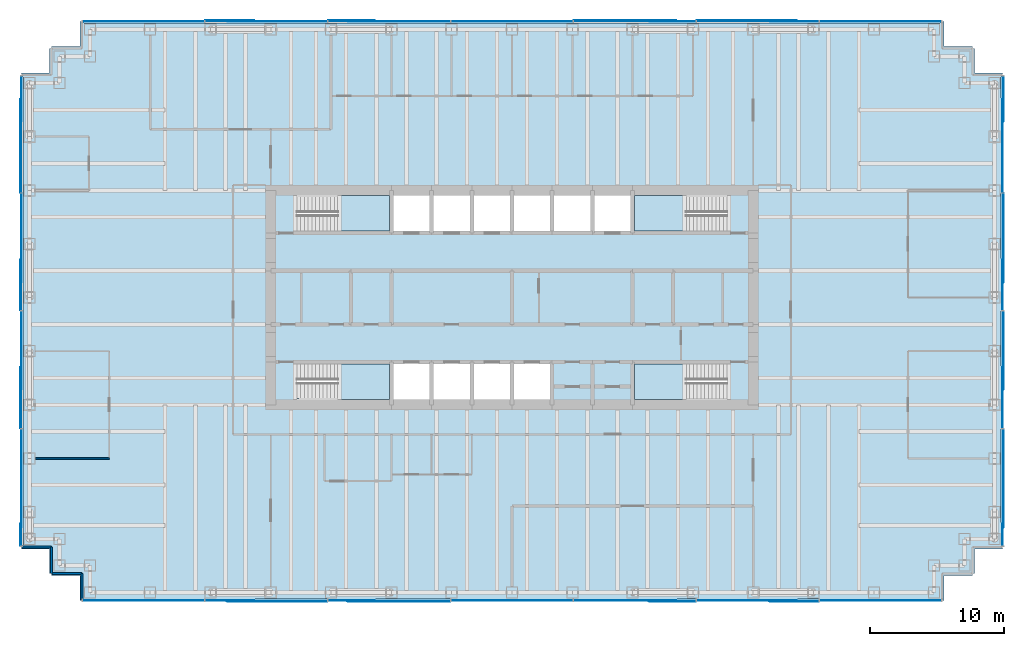
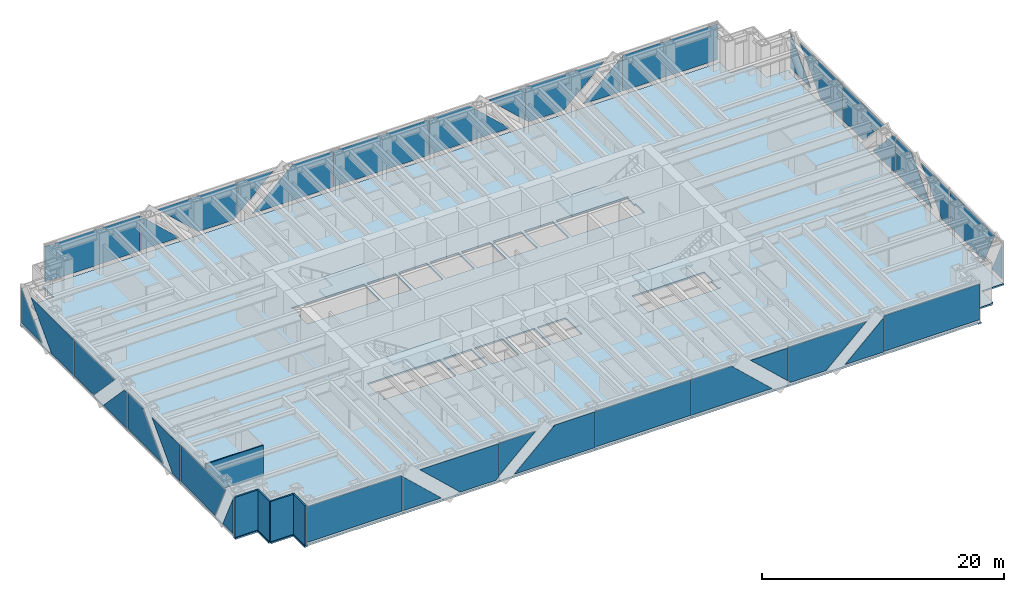
# One storey, part 9 of 14: 38 plates, 5 slabs, 5 walls, 8 elements without a shape of their own.
"""IFC4 building model written with IfcOpenShell, lengths in metres."""

import ifcopenshell
import ifcopenshell.guid

model = None  # the IFC model being written
_history = None  # IfcOwnerHistory: only IFC2X3 demands one
_inside = {}  # id of a spatial element -> (the spatial element, [elements in it])
_under = {}  # id of a project, library or spatial element -> (it, [spatial elements below it])
_declared = {}  # id of a project -> (the project, [libraries it declares])
_typed = {}  # id of a type object -> (the type object, [elements of that type])
_made_of = {}  # id of a material, layer set ... -> (it, [elements and type objects made of it])


def new_model(schema):
    """Start an empty IFC model of exactly this schema.

    Asked for "IFC4X3", IfcOpenShell would pick the latest addendum, in which some entities
    have other attributes; the version numbers below select the first issue.
    IFC2X3 requires an IfcOwnerHistory on every rooted entity: one is made here for all.
    """
    global model, _history
    if schema == "IFC4X3":
        model = ifcopenshell.file(schema_version=(4, 3, 0, 0))
    else:
        model = ifcopenshell.file(schema=schema)
    _inside.clear()
    _under.clear()
    _declared.clear()
    _typed.clear()
    _made_of.clear()
    _history = None
    if model.schema == "IFC2X3":
        org = make("IfcOrganization", Name="unknown")
        user = make(
            "IfcPersonAndOrganization",
            ThePerson=make("IfcPerson", FamilyName="unknown"),
            TheOrganization=org,
        )
        app = make(
            "IfcApplication",
            ApplicationDeveloper=org,
            Version="unknown",
            ApplicationFullName="unknown",
            ApplicationIdentifier="unknown",
        )
        _history = make(
            "IfcOwnerHistory",
            OwningUser=user,
            OwningApplication=app,
            ChangeAction="ADDED",
            CreationDate=0,
        )
    return model


def make(cls, **values):
    """One entity of the class cls with the attributes given. An attribute that is None is left unset."""
    return model.create_entity(
        cls, **{name: value for name, value in values.items() if value is not None}
    )


def rooted(cls, **values):
    """An entity with a GlobalId (a new one), such as an element, a storey or a relation."""
    return make(cls, GlobalId=ifcopenshell.guid.new(), OwnerHistory=_history, **values)


def si_unit(unit_type, name, prefix=None):
    """IfcSIUnit, for example si_unit("LENGTHUNIT", "METRE", prefix="MILLI")."""
    return make("IfcSIUnit", UnitType=unit_type, Prefix=prefix, Name=name)


def assignment(units):
    """IfcUnitAssignment: the units of a project."""
    return None if units is None else make("IfcUnitAssignment", Units=units)


def point(xyz):
    """IfcCartesianPoint."""
    return None if xyz is None else make("IfcCartesianPoint", Coordinates=xyz)


def direction(xyz):
    """IfcDirection."""
    return None if xyz is None else make("IfcDirection", DirectionRatios=xyz)


def frame(location, z_axis=None, x_axis=None):
    """IfcAxis2Placement3D, a coordinate frame: its origin and axes. An axis left out is left unset."""
    return make(
        "IfcAxis2Placement3D",
        Location=point(location),
        Axis=direction(z_axis),
        RefDirection=direction(x_axis),
    )


def frame_2d(location, x_axis=None):
    """IfcAxis2Placement2D, a coordinate frame in the plane: its origin and x axis."""
    return make(
        "IfcAxis2Placement2D", Location=point(location), RefDirection=direction(x_axis)
    )


def origin():
    """The frame at (0, 0, 0) with its axes left unset."""
    return frame((0.0, 0.0, 0.0))


def origin_2d():
    """The frame at (0, 0) in the plane with its x axis left unset."""
    return frame_2d((0.0, 0.0))


def place(relative_to, where):
    """IfcLocalPlacement: puts the frame where relative to a parent placement (None: the world)."""
    return make(
        "IfcLocalPlacement", PlacementRelTo=relative_to, RelativePlacement=where
    )


def context(
    kind, dimensions, precision=None, world=None, true_north=None, identifier=None
):
    """IfcGeometricRepresentationContext, for example the 3D "Model" context."""
    return make(
        "IfcGeometricRepresentationContext",
        ContextIdentifier=identifier,
        ContextType=kind,
        CoordinateSpaceDimension=dimensions,
        Precision=precision,
        WorldCoordinateSystem=world,
        TrueNorth=true_north,
    )


def subcontext(parent, identifier, kind, view, scale=None):
    """IfcGeometricRepresentationSubContext, for example "Body" below "Model"."""
    return make(
        "IfcGeometricRepresentationSubContext",
        ContextIdentifier=identifier,
        ContextType=kind,
        ParentContext=parent,
        TargetScale=scale,
        TargetView=view,
    )


def project(units=None, contexts=None):
    """IfcProject with its units and contexts."""
    return rooted(
        "IfcProject",
        Name="project",
        RepresentationContexts=contexts,
        UnitsInContext=assignment(units),
    )


def spatial(cls, under=None, at=None, **own):
    """A site, building, storey or space (cls), placed at a placement, below another one or the project."""
    s = rooted(cls, ObjectPlacement=at, **own)
    if under is not None:
        _under.setdefault(under.id(), (under, []))[1].append(s)
    return s


def polyline(points):
    """IfcPolyline through the points."""
    return make("IfcPolyline", Points=[point(p) for p in points])


def profile(cls, at=None, kind="AREA", **sizes):
    """A parametric profile (cls). Its sizes go by their IFC names, for example OverallWidth=200.0."""
    return make(cls, ProfileType=kind, Position=at, **sizes)


def rectangle(**sizes):
    """IfcRectangleProfileDef."""
    return profile("IfcRectangleProfileDef", **sizes)


def outline(outer, holes=None, kind="AREA"):
    """IfcArbitraryClosedProfileDef: a profile drawn as a closed curve; with holes, ...WithVoids."""
    if holes is None:
        return make("IfcArbitraryClosedProfileDef", ProfileType=kind, OuterCurve=outer)
    return make(
        "IfcArbitraryProfileDefWithVoids",
        ProfileType=kind,
        OuterCurve=outer,
        InnerCurves=holes,
    )


def extrude(swept, where, along, depth):
    """IfcExtrudedAreaSolid: the profile swept, set in the frame where, extruded along a direction by depth."""
    return make(
        "IfcExtrudedAreaSolid",
        SweptArea=swept,
        Position=where,
        ExtrudedDirection=direction(along),
        Depth=depth,
    )


def shape(context_of_items, identifier, shape_type, items):
    """IfcShapeRepresentation: the items that make up one representation, for example the "Body"."""
    return make(
        "IfcShapeRepresentation",
        ContextOfItems=context_of_items,
        RepresentationIdentifier=identifier,
        RepresentationType=shape_type,
        Items=items,
    )


def material(Name=None, Category=None):
    """IfcMaterial."""
    return make("IfcMaterial", Name=Name, Category=Category)


def layer(
    of_material, thickness, ventilated=None, Name=None, Category=None, Priority=None
):
    """IfcMaterialLayer: one layer of a wall or slab, of a material (None: an air gap)."""
    return make(
        "IfcMaterialLayer",
        Material=of_material,
        LayerThickness=thickness,
        IsVentilated=ventilated,
        Name=Name,
        Category=Category,
        Priority=Priority,
    )


def layer_set(layers, Name=None):
    """IfcMaterialLayerSet."""
    return make("IfcMaterialLayerSet", MaterialLayers=layers, LayerSetName=Name)


def made_of(thing, what):
    """Note that an element or type object is made of a material, layer set ...; save() writes the relation."""
    if what is not None:
        _made_of.setdefault(what.id(), (what, []))[1].append(thing)
    return thing


def type_object(cls, material=None, **own):
    """A type object (cls), such as IfcWallType, which elements share."""
    return made_of(rooted(cls, **own), material)


def element(
    cls,
    number,
    at=None,
    inside=None,
    cuts=None,
    type_object=None,
    material=None,
    context=None,
    identifier="Body",
    shape_type=None,
    held_by="IfcProductDefinitionShape",
    body=None,
    shapes=None,
    **own,
):
    """One element of the class cls, such as IfcWall. Its Tag is "e" and its number.

    at: its placement. inside: the storey or other place that contains it. cuts: it is an
    opening in that element (IfcRelVoidsElement). A single representation is given by context,
    identifier, shape_type and body (its items); several are given by shapes. held_by: the class
    of the entity that holds the representations. save() writes the other relations.
    """
    e = rooted(cls, Tag="e%d" % number, ObjectPlacement=at, **own)
    if body is not None:
        shapes = [shape(context, identifier, shape_type, body)]
    if shapes is not None:
        e.Representation = make(held_by, Representations=shapes)
    if inside is not None:
        _inside.setdefault(inside.id(), (inside, []))[1].append(e)
    if cuts is not None:
        rooted(
            "IfcRelVoidsElement", RelatingBuildingElement=cuts, RelatedOpeningElement=e
        )
    if type_object is not None:
        _typed.setdefault(type_object.id(), (type_object, []))[1].append(e)
    return made_of(e, material)


def aggregate(whole, parts):
    """IfcRelAggregates: a whole, such as a stair, and the parts it consists of."""
    return rooted("IfcRelAggregates", RelatingObject=whole, RelatedObjects=parts)


def save(model, path):
    """Write the relations noted so far, then the file.

    IfcRelAggregates (storeys below a building ...), IfcRelContainedInSpatialStructure (elements
    in a storey), IfcRelDefinesByType, IfcRelAssociatesMaterial and IfcRelDeclares: one each for
    every whole, place, type object, material and project.
    """
    for whole, parts in _under.values():
        aggregate(whole, parts)
    for where, things in _inside.values():
        rooted(
            "IfcRelContainedInSpatialStructure",
            RelatedElements=things,
            RelatingStructure=where,
        )
    for kind, things in _typed.values():
        rooted("IfcRelDefinesByType", RelatedObjects=things, RelatingType=kind)
    for what, things in _made_of.values():
        rooted("IfcRelAssociatesMaterial", RelatedObjects=things, RelatingMaterial=what)
    for by, libraries in _declared.values():
        rooted("IfcRelDeclares", RelatingContext=by, RelatedDefinitions=libraries)
    model.write(path)


model = new_model("IFC4")

# Units and contexts
model_context = context("Model", 3, precision=1e-05, world=origin(), true_north=direction((0.0, 1.0)))
body_context = subcontext(model_context, "Body", "Model", "MODEL_VIEW")
ifc_project = project(units=[si_unit("LENGTHUNIT", "METRE"), si_unit("AREAUNIT", "SQUARE_METRE"), si_unit("VOLUMEUNIT", "CUBIC_METRE"), si_unit("PLANEANGLEUNIT", "RADIAN"), si_unit("MASSUNIT", "GRAM", prefix="KILO")], contexts=[model_context])

# Site, building, storey
site_placement = place(None, origin())
site = spatial("IfcSite", under=ifc_project, at=site_placement, CompositionType="ELEMENT")
building_placement = place(site_placement, origin())
building = spatial("IfcBuilding", under=site, at=building_placement, Name="Rheinbord Bourse Tower", CompositionType="ELEMENT")
storey_placement = place(building_placement, frame((0.0, 0.0, 232.0)))
storey = spatial("IfcBuildingStorey", under=building, at=storey_placement, Name="L52", CompositionType="ELEMENT", Elevation=232.0)

# Slab
ifc_material_1 = material(Name="Concrete C30/37", Category="concrete")
ifc_layer_1 = layer(ifc_material_1, 0.159912109375)
ifc_layer_set_1 = layer_set([ifc_layer_1], Name="COMPOSITE FLOOR SLAB 160")
slab_type_1 = type_object("IfcSlabType", Name="COMPOSITE FLOOR SLAB 160", PredefinedType="FLOOR", material=ifc_layer_set_1)
slab_1_placement = place(storey_placement, frame((0.0, 0.0, -0.159912109375)))
element("IfcSlab", 1, at=slab_1_placement, inside=storey, type_object=slab_type_1, Name="Floor slab L52", PredefinedType="FLOOR", context=body_context, shape_type="SweptSolid", body=[
    extrude(outline(polyline([(1.64990234375, 3.39990234375), (1.5, 3.39990234375), (1.5, 5.25), (-0.60009765625, 5.25), (-0.60009765625, 5.550048828125), (-0.5, 5.550048828125), (-0.5, 40.449951171875), (-0.60009765625, 40.449951171875), (-0.60009765625, 40.75), (1.5, 40.75), (1.5, 42.60009765625), (1.64990234375, 42.60009765625), (1.64990234375, 42.75), (3.75, 42.75), (3.75, 44.60009765625), (4.050048828125, 44.60009765625), (4.050048828125, 44.5), (67.949951171875, 44.5), (67.949951171875, 44.60009765625), (68.25, 44.60009765625), (68.25, 42.75), (70.35009765625, 42.75), (70.35009765625, 42.60009765625), (70.5, 42.60009765625), (70.5, 40.75), (72.60009765625, 40.75), (72.60009765625, 40.449951171875), (72.5, 40.449951171875), (72.5, 5.550048828125), (72.60009765625, 5.550048828125), (72.60009765625, 5.25), (70.5, 5.25), (70.5, 3.39990234375), (70.35009765625, 3.39990234375), (70.35009765625, 3.25), (68.25, 3.25), (68.25, 1.39990234375), (67.949951171875, 1.39990234375), (67.949951171875, 1.5), (4.050048828125, 1.5), (4.050048828125, 1.39990234375), (3.75, 1.39990234375), (3.75, 3.25), (1.64990234375, 3.25), (1.64990234375, 3.39990234375)]), holes=[polyline([(19.949951171875, 19.050048828125), (26.85009765625, 19.050048828125), (26.85009765625, 16.39990234375), (19.949951171875, 16.39990234375), (19.949951171875, 16.449951171875), (20.10009765625, 16.449951171875), (20.10009765625, 17.64990234375), (19.949951171875, 17.64990234375), (19.949951171875, 19.050048828125)]), polyline([(19.949951171875, 31.60009765625), (26.85009765625, 31.60009765625), (26.85009765625, 28.949951171875), (19.949951171875, 28.949951171875), (19.949951171875, 30.35009765625), (20.10009765625, 30.35009765625), (20.10009765625, 31.550048828125), (19.949951171875, 31.550048828125), (19.949951171875, 31.60009765625)]), polyline([(52.050048828125, 16.39990234375), (45.14990234375, 16.39990234375), (45.14990234375, 19.050048828125), (52.050048828125, 19.050048828125), (52.050048828125, 17.64990234375), (51.89990234375, 17.64990234375), (51.89990234375, 16.449951171875), (52.050048828125, 16.449951171875), (52.050048828125, 16.39990234375)]), polyline([(52.050048828125, 28.949951171875), (45.14990234375, 28.949951171875), (45.14990234375, 31.60009765625), (52.050048828125, 31.60009765625), (52.050048828125, 31.550048828125), (51.89990234375, 31.550048828125), (51.89990234375, 30.35009765625), (52.050048828125, 30.35009765625), (52.050048828125, 28.949951171875)]), polyline([(27.14990234375, 16.39990234375), (27.14990234375, 19.050048828125), (29.85009765625, 19.050048828125), (29.85009765625, 16.39990234375), (27.14990234375, 16.39990234375)]), polyline([(27.14990234375, 28.949951171875), (27.14990234375, 31.60009765625), (29.85009765625, 31.60009765625), (29.85009765625, 28.949951171875), (27.14990234375, 28.949951171875)]), polyline([(30.14990234375, 16.39990234375), (30.14990234375, 19.050048828125), (32.85009765625, 19.050048828125), (32.85009765625, 16.39990234375), (30.14990234375, 16.39990234375)]), polyline([(30.14990234375, 28.949951171875), (30.14990234375, 31.60009765625), (32.85009765625, 31.60009765625), (32.85009765625, 28.949951171875), (30.14990234375, 28.949951171875)]), polyline([(33.14990234375, 16.39990234375), (33.14990234375, 19.050048828125), (35.85009765625, 19.050048828125), (35.85009765625, 16.39990234375), (33.14990234375, 16.39990234375)]), polyline([(33.14990234375, 28.949951171875), (33.14990234375, 31.60009765625), (35.85009765625, 31.60009765625), (35.85009765625, 28.949951171875), (33.14990234375, 28.949951171875)]), polyline([(36.14990234375, 16.39990234375), (36.14990234375, 19.050048828125), (38.85009765625, 19.050048828125), (38.85009765625, 16.39990234375), (36.14990234375, 16.39990234375)]), polyline([(36.14990234375, 28.949951171875), (36.14990234375, 31.60009765625), (38.85009765625, 31.60009765625), (38.85009765625, 28.949951171875), (36.14990234375, 28.949951171875)]), polyline([(39.14990234375, 28.949951171875), (39.14990234375, 31.60009765625), (41.85009765625, 31.60009765625), (41.85009765625, 28.949951171875), (39.14990234375, 28.949951171875)]), polyline([(42.14990234375, 28.949951171875), (42.14990234375, 31.60009765625), (44.85009765625, 31.60009765625), (44.85009765625, 28.949951171875), (42.14990234375, 28.949951171875)])]), origin(), (0.0, 0.0, 1.0), 0.159912109375),
])

# Curtain wall, plates
ifc_material_2 = material(Name="Dark glass and black aluminium", Category="aluminium")
curtain_wall_type = type_object("IfcCurtainWallType", Name="CW2 DARK GLASS CURTAIN WALL", PredefinedType="USERDEFINED", material=ifc_material_2)
curtain_wall_1_placement = place(storey_placement, origin())
curtain_wall_1 = element("IfcCurtainWall", 2, at=curtain_wall_1_placement, inside=storey, type_object=curtain_wall_type, Name="Curtain wall CW2 S L52", ObjectType="UNITISED CURTAIN WALL", PredefinedType="USERDEFINED")
ifc_material_3 = material(Name="Dark tinted triple insulating glass", Category="glass")
ifc_layer_2 = layer(ifc_material_3, 0.050048828125)
ifc_layer_set_2 = layer_set([ifc_layer_2], Name="CW2 DARK GLASS PANEL")
plate_type = type_object("IfcPlateType", Name="CW2 DARK GLASS PANEL", PredefinedType="CURTAIN_PANEL", material=ifc_layer_set_2)
plate_1_placement = place(storey_placement, frame((36.0, 1.39990234375, 0.300048828125), z_axis=(0.0, 0.0, 1.0), x_axis=(1.0, 0.0, 0.0)))
plate_1 = element("IfcPlate", 3, at=plate_1_placement, type_object=plate_type, Name="CW2 panel 4.1", PredefinedType="CURTAIN_PANEL", context=body_context, shape_type="SweptSolid", body=[
    extrude(rectangle(XDim=9.101318359375, YDim=0.050048828125, at=origin_2d()), origin(), (0.0, 0.0, 1.0), 3.60009765625),
])
plate_2_placement = place(storey_placement, frame((13.035888671875, 1.375, 0.300048828125), z_axis=(0.0, 1.0, 0.0), x_axis=(-1.0, 0.0, 0.0)))
plate_2 = element("IfcPlate", 4, at=plate_2_placement, type_object=plate_type, Name="CW2 glass facet 1", PredefinedType="CURTAIN_PANEL", context=body_context, shape_type="SweptSolid", body=[
    extrude(outline(polyline([(0.0, 0.0), (9.06591796875, 0.0), (9.06591796875, 3.599853515625), (0.100830078125, 3.599853515625), (0.0, 3.5048828125), (0.0, 0.0)])), origin(), (0.0, 0.0, 1.0), 0.050048828125),
])
plate_3_placement = place(storey_placement, frame((13.10595703125, 1.375, 0.300048828125), z_axis=(0.0, 1.0, 0.0), x_axis=(0.0, 0.0, 1.0)))
plate_3 = element("IfcPlate", 5, at=plate_3_placement, type_object=plate_type, Name="CW2 glass facet 1", PredefinedType="CURTAIN_PANEL", context=body_context, shape_type="SweptSolid", body=[
    extrude(outline(polyline([(0.0, 0.0), (3.43994140625, 0.0), (0.0, 3.68603515625), (0.0, 0.0)])), origin(), (0.0, 0.0, 1.0), 0.050048828125),
])
plate_4_placement = place(storey_placement, frame((18.56494140625, 1.31982421875, 0.300048828125), z_axis=(0.0, 1.0, 0.0), x_axis=(-0.731050651729, 0.0, 0.682323196591)))
plate_4 = element("IfcPlate", 6, at=plate_4_placement, type_object=plate_type, Name="CW2 glass facet 2", PredefinedType="CURTAIN_PANEL", context=body_context, shape_type="SweptSolid", body=[
    extrude(outline(polyline([(0.0, 0.0), (5.27587890625, 0.0), (-0.20703125, 5.117431640625), (-2.4892578125, 2.672119140625), (-2.463623046875, 2.299560546875), (0.0, 0.0)])), origin(), (0.0, 0.0, 1.0), 0.050048828125),
])
plate_5_placement = place(storey_placement, frame((22.278076171875, 1.375, 3.89990234375), z_axis=(0.0, 1.0, 0.0), x_axis=(1.0, 0.0, 0.0)))
plate_5 = element("IfcPlate", 7, at=plate_5_placement, type_object=plate_type, Name="CW2 glass facet 1", PredefinedType="CURTAIN_PANEL", context=body_context, shape_type="SweptSolid", body=[
    extrude(outline(polyline([(0.0, 0.0), (3.513916015625, 0.0), (0.0, 3.27978515625), (0.0, 0.0)])), origin(), (0.0, 0.0, 1.0), 0.050048828125),
])
plate_6_placement = place(storey_placement, frame((31.37890625, 1.31982421875, 3.89990234375), z_axis=(0.0, 1.0, 0.0), x_axis=(0.0, 0.0, -1.0)))
plate_6 = element("IfcPlate", 8, at=plate_6_placement, type_object=plate_type, Name="CW2 glass facet 2", PredefinedType="CURTAIN_PANEL", context=body_context, shape_type="SweptSolid", body=[
    extrude(outline(polyline([(0.0, 0.0), (3.599853515625, 0.0), (3.599853515625, 7.6708984375), (0.0, 3.81396484375), (0.0, 0.0)])), origin(), (0.0, 0.0, 1.0), 0.050048828125),
])
plate_7_placement = place(storey_placement, frame((40.62109375, 1.375, 0.300048828125), z_axis=(0.0, 1.0, 0.0), x_axis=(0.0, 0.0, 1.0)))
plate_7 = element("IfcPlate", 9, at=plate_7_placement, type_object=plate_type, Name="CW2 glass facet 1", PredefinedType="CURTAIN_PANEL", context=body_context, shape_type="SweptSolid", body=[
    extrude(outline(polyline([(0.0, 0.0), (3.599853515625, 0.0), (3.599853515625, 3.81396484375), (0.0, 7.6708984375), (0.0, 0.0)])), origin(), (0.0, 0.0, 1.0), 0.050048828125),
])
plate_8_placement = place(storey_placement, frame((49.721923828125, 1.31982421875, 3.89990234375), z_axis=(0.0, 1.0, 0.0), x_axis=(0.0, 0.0, -1.0)))
plate_8 = element("IfcPlate", 10, at=plate_8_placement, type_object=plate_type, Name="CW2 glass facet 2", PredefinedType="CURTAIN_PANEL", context=body_context, shape_type="SweptSolid", body=[
    extrude(outline(polyline([(0.0, 0.0), (3.27978515625, 0.0), (0.0, 3.513916015625), (0.0, 0.0)])), origin(), (0.0, 0.0, 1.0), 0.050048828125),
])
plate_9_placement = place(storey_placement, frame((50.06494140625, 1.375, 0.300048828125), z_axis=(0.0, 1.0, 0.0), x_axis=(-0.730881327913, 0.0, 0.68250456739)))
plate_9 = element("IfcPlate", 11, at=plate_9_placement, type_object=plate_type, Name="CW2 glass facet 1", PredefinedType="CURTAIN_PANEL", context=body_context, shape_type="SweptSolid", body=[
    extrude(outline(polyline([(0.0, 0.0), (0.37353515625, 0.0), (2.656494140625, 2.44482421875), (-2.8251953125, 7.5634765625), (-2.463134765625, 2.300048828125), (0.0, 0.0)])), origin(), (0.0, 0.0, 1.0), 0.050048828125),
])
plate_10_placement = place(storey_placement, frame((58.89404296875, 1.31982421875, 0.300048828125), z_axis=(0.0, 1.0, 0.0), x_axis=(-1.0, 0.0, 0.0)))
plate_10 = element("IfcPlate", 12, at=plate_10_placement, type_object=plate_type, Name="CW2 glass facet 2", PredefinedType="CURTAIN_PANEL", context=body_context, shape_type="SweptSolid", body=[
    extrude(outline(polyline([(0.0, 0.0), (3.68603515625, 0.0), (0.0, 3.43994140625), (0.0, 0.0)])), origin(), (0.0, 0.0, 1.0), 0.050048828125),
])
plate_11_placement = place(storey_placement, frame((68.030029296875, 1.375, 3.89990234375), z_axis=(0.0, 1.0, 0.0), x_axis=(0.0, 0.0, -1.0)))
plate_11 = element("IfcPlate", 13, at=plate_11_placement, type_object=plate_type, Name="CW2 glass facet 1", PredefinedType="CURTAIN_PANEL", context=body_context, shape_type="SweptSolid", body=[
    extrude(outline(polyline([(0.0, 0.0), (3.599853515625, 0.0), (3.599853515625, 9.06591796875), (0.094970703125, 9.06591796875), (0.0, 8.965087890625), (0.0, 0.0)])), origin(), (0.0, 0.0, 1.0), 0.050048828125),
])
aggregate(curtain_wall_1, [plate_1, plate_2, plate_3, plate_4, plate_5, plate_6, plate_7, plate_8, plate_9, plate_10, plate_11])

curtain_wall_2_placement = place(storey_placement, origin())
curtain_wall_2 = element("IfcCurtainWall", 14, at=curtain_wall_2_placement, inside=storey, type_object=curtain_wall_type, Name="Curtain wall CW2 E L52", ObjectType="UNITISED CURTAIN WALL", PredefinedType="USERDEFINED")
plate_12_placement = place(storey_placement, frame((72.625, 5.469970703125, 0.300048828125), z_axis=(-1.0, 0.0, 0.0), x_axis=(0.0, 0.0, 1.0)))
plate_12 = element("IfcPlate", 15, at=plate_12_placement, type_object=plate_type, Name="CW2 glass facet 1", PredefinedType="CURTAIN_PANEL", context=body_context, shape_type="SweptSolid", body=[
    extrude(outline(polyline([(0.0, 0.0), (3.599853515625, 0.0), (3.599853515625, 0.0029296875), (0.0, 1.717041015625), (0.0, 0.0)])), origin(), (0.0, 0.0, 1.0), 0.050048828125),
])
plate_13_placement = place(storey_placement, frame((72.68017578125, 14.1650390625, 3.89990234375), z_axis=(-1.0, 0.0, 0.0), x_axis=(0.0, 0.0, -1.0)))
plate_13 = element("IfcPlate", 16, at=plate_13_placement, type_object=plate_type, Name="CW2 glass facet 2", PredefinedType="CURTAIN_PANEL", context=body_context, shape_type="SweptSolid", body=[
    extrude(outline(polyline([(0.0, 0.0), (3.599853515625, 0.0), (3.599853515625, 5.637939453125), (0.0, 7.35205078125), (0.0, 0.0)])), origin(), (0.0, 0.0, 1.0), 0.050048828125),
])
plate_14_placement = place(storey_placement, frame((72.625, 14.235107421875, 0.300048828125), z_axis=(-1.0, 0.0, 0.0), x_axis=(0.0, 0.0, 1.0)))
plate_14 = element("IfcPlate", 17, at=plate_14_placement, type_object=plate_type, Name="CW2 glass facet 1", PredefinedType="CURTAIN_PANEL", context=body_context, shape_type="SweptSolid", body=[
    extrude(outline(polyline([(0.0, 0.0), (3.599853515625, 0.0), (3.599853515625, 4.643798828125), (0.0, 1.21484375), (0.0, 0.0)])), origin(), (0.0, 0.0, 1.0), 0.050048828125),
])
plate_15_placement = place(storey_placement, frame((72.68017578125, 22.965087890625, 3.89990234375), z_axis=(-1.0, 0.0, 0.0), x_axis=(0.0, 0.0, -1.0)))
plate_15 = element("IfcPlate", 18, at=plate_15_placement, type_object=plate_type, Name="CW2 glass facet 2", PredefinedType="CURTAIN_PANEL", context=body_context, shape_type="SweptSolid", body=[
    extrude(outline(polyline([(0.0, 0.0), (3.599853515625, 0.0), (3.599853515625, 5.843994140625), (0.0, 2.4150390625), (0.0, 0.0)])), origin(), (0.0, 0.0, 1.0), 0.050048828125),
])
plate_16_placement = place(storey_placement, frame((72.625, 23.034912109375, 0.300048828125), z_axis=(-1.0, 0.0, 0.0), x_axis=(0.0, 0.0, 1.0)))
plate_16 = element("IfcPlate", 19, at=plate_16_placement, type_object=plate_type, Name="CW2 glass facet 1", PredefinedType="CURTAIN_PANEL", context=body_context, shape_type="SweptSolid", body=[
    extrude(outline(polyline([(0.0, 0.0), (3.599853515625, 0.0), (3.599853515625, 0.4150390625), (0.0, 3.843994140625), (0.0, 0.0)])), origin(), (0.0, 0.0, 1.0), 0.050048828125),
])
plate_17_placement = place(storey_placement, frame((72.68017578125, 31.764892578125, 3.89990234375), z_axis=(-1.0, 0.0, 0.0), x_axis=(0.0, 0.0, -1.0)))
plate_17 = element("IfcPlate", 20, at=plate_17_placement, type_object=plate_type, Name="CW2 glass facet 2", PredefinedType="CURTAIN_PANEL", context=body_context, shape_type="SweptSolid", body=[
    extrude(outline(polyline([(0.0, 0.0), (3.599853515625, 0.0), (3.599853515625, 3.21484375), (0.0, 6.643798828125), (0.0, 0.0)])), origin(), (0.0, 0.0, 1.0), 0.050048828125),
])
plate_18_placement = place(storey_placement, frame((72.625, 31.8349609375, 0.300048828125), z_axis=(-1.0, 0.0, 0.0), x_axis=(0.0, 0.0, 1.0)))
plate_18 = element("IfcPlate", 21, at=plate_18_placement, type_object=plate_type, Name="CW2 glass facet 1", PredefinedType="CURTAIN_PANEL", context=body_context, shape_type="SweptSolid", body=[
    extrude(outline(polyline([(0.0, 0.0), (3.599853515625, 0.0), (3.599853515625, 7.0439453125), (0.0, 3.614990234375), (0.0, 0.0)])), origin(), (0.0, 0.0, 1.0), 0.050048828125),
])
plate_19_placement = place(storey_placement, frame((72.68017578125, 40.530029296875, 0.300048828125), z_axis=(-1.0, 0.0, 0.0), x_axis=(0.0, -1.0, 0.0)))
plate_19 = element("IfcPlate", 22, at=plate_19_placement, type_object=plate_type, Name="CW2 glass facet 2", PredefinedType="CURTAIN_PANEL", context=body_context, shape_type="SweptSolid", body=[
    extrude(outline(polyline([(0.0, 0.0), (3.408935546875, 0.0), (0.0, 3.578857421875), (0.0, 0.0)])), origin(), (0.0, 0.0, 1.0), 0.050048828125),
])
aggregate(curtain_wall_2, [plate_12, plate_13, plate_14, plate_15, plate_16, plate_17, plate_18, plate_19])

curtain_wall_3_placement = place(storey_placement, origin())
curtain_wall_3 = element("IfcCurtainWall", 23, at=curtain_wall_3_placement, inside=storey, type_object=curtain_wall_type, Name="Curtain wall CW2 N L52", ObjectType="UNITISED CURTAIN WALL", PredefinedType="USERDEFINED")
plate_20_placement = place(storey_placement, frame((36.0, 44.60009765625, 0.300048828125), z_axis=(0.0, 0.0, 1.0), x_axis=(-1.0, 0.0, 0.0)))
plate_20 = element("IfcPlate", 24, at=plate_20_placement, type_object=plate_type, Name="CW2 panel 4.1", PredefinedType="CURTAIN_PANEL", context=body_context, shape_type="SweptSolid", body=[
    extrude(rectangle(XDim=9.101318359375, YDim=0.050048828125, at=origin_2d()), origin(), (0.0, 0.0, 1.0), 3.60009765625),
])
plate_21_placement = place(storey_placement, frame((58.964111328125, 44.625, 0.300048828125), z_axis=(0.0, -1.0, 0.0), x_axis=(1.0, 0.0, 0.0)))
plate_21 = element("IfcPlate", 25, at=plate_21_placement, type_object=plate_type, Name="CW2 glass facet 1", PredefinedType="CURTAIN_PANEL", context=body_context, shape_type="SweptSolid", body=[
    extrude(outline(polyline([(0.0, 0.0), (9.06591796875, 0.0), (9.06591796875, 3.599853515625), (0.100830078125, 3.599853515625), (0.0, 3.5048828125), (0.0, 0.0)])), origin(), (0.0, 0.0, 1.0), 0.050048828125),
])
plate_22_placement = place(storey_placement, frame((58.89404296875, 44.625, 0.300048828125), z_axis=(0.0, -1.0, 0.0), x_axis=(0.0, 0.0, 1.0)))
plate_22 = element("IfcPlate", 26, at=plate_22_placement, type_object=plate_type, Name="CW2 glass facet 1", PredefinedType="CURTAIN_PANEL", context=body_context, shape_type="SweptSolid", body=[
    extrude(outline(polyline([(0.0, 0.0), (3.43994140625, 0.0), (0.0, 3.68603515625), (0.0, 0.0)])), origin(), (0.0, 0.0, 1.0), 0.050048828125),
])
plate_23_placement = place(storey_placement, frame((53.43505859375, 44.68017578125, 0.300048828125), z_axis=(0.0, -1.0, 0.0), x_axis=(0.731050651729, 0.0, 0.682323196591)))
plate_23 = element("IfcPlate", 27, at=plate_23_placement, type_object=plate_type, Name="CW2 glass facet 2", PredefinedType="CURTAIN_PANEL", context=body_context, shape_type="SweptSolid", body=[
    extrude(outline(polyline([(0.0, 0.0), (5.27587890625, 0.0), (-0.20703125, 5.117431640625), (-2.4892578125, 2.672119140625), (-2.463623046875, 2.299560546875), (0.0, 0.0)])), origin(), (0.0, 0.0, 1.0), 0.050048828125),
])
plate_24_placement = place(storey_placement, frame((49.721923828125, 44.625, 3.89990234375), z_axis=(0.0, -1.0, 0.0), x_axis=(-1.0, 0.0, 0.0)))
plate_24 = element("IfcPlate", 28, at=plate_24_placement, type_object=plate_type, Name="CW2 glass facet 1", PredefinedType="CURTAIN_PANEL", context=body_context, shape_type="SweptSolid", body=[
    extrude(outline(polyline([(0.0, 0.0), (3.513916015625, 0.0), (0.0, 3.27978515625), (0.0, 0.0)])), origin(), (0.0, 0.0, 1.0), 0.050048828125),
])
plate_25_placement = place(storey_placement, frame((40.62109375, 44.68017578125, 3.89990234375), z_axis=(0.0, -1.0, 0.0), x_axis=(0.0, 0.0, -1.0)))
plate_25 = element("IfcPlate", 29, at=plate_25_placement, type_object=plate_type, Name="CW2 glass facet 2", PredefinedType="CURTAIN_PANEL", context=body_context, shape_type="SweptSolid", body=[
    extrude(outline(polyline([(0.0, 0.0), (3.599853515625, 0.0), (3.599853515625, 7.6708984375), (0.0, 3.81396484375), (0.0, 0.0)])), origin(), (0.0, 0.0, 1.0), 0.050048828125),
])
plate_26_placement = place(storey_placement, frame((31.37890625, 44.625, 0.300048828125), z_axis=(0.0, -1.0, 0.0), x_axis=(0.0, 0.0, 1.0)))
plate_26 = element("IfcPlate", 30, at=plate_26_placement, type_object=plate_type, Name="CW2 glass facet 1", PredefinedType="CURTAIN_PANEL", context=body_context, shape_type="SweptSolid", body=[
    extrude(outline(polyline([(0.0, 0.0), (3.599853515625, 0.0), (3.599853515625, 3.81396484375), (0.0, 7.6708984375), (0.0, 0.0)])), origin(), (0.0, 0.0, 1.0), 0.050048828125),
])
plate_27_placement = place(storey_placement, frame((22.278076171875, 44.68017578125, 3.89990234375), z_axis=(0.0, -1.0, 0.0), x_axis=(0.0, 0.0, -1.0)))
plate_27 = element("IfcPlate", 31, at=plate_27_placement, type_object=plate_type, Name="CW2 glass facet 2", PredefinedType="CURTAIN_PANEL", context=body_context, shape_type="SweptSolid", body=[
    extrude(outline(polyline([(0.0, 0.0), (3.27978515625, 0.0), (0.0, 3.513916015625), (0.0, 0.0)])), origin(), (0.0, 0.0, 1.0), 0.050048828125),
])
plate_28_placement = place(storey_placement, frame((21.93505859375, 44.625, 0.300048828125), z_axis=(0.0, -1.0, 0.0), x_axis=(0.730881327913, 0.0, 0.68250456739)))
plate_28 = element("IfcPlate", 32, at=plate_28_placement, type_object=plate_type, Name="CW2 glass facet 1", PredefinedType="CURTAIN_PANEL", context=body_context, shape_type="SweptSolid", body=[
    extrude(outline(polyline([(0.0, 0.0), (0.37353515625, 0.0), (2.656494140625, 2.44482421875), (-2.8251953125, 7.5634765625), (-2.463134765625, 2.300048828125), (0.0, 0.0)])), origin(), (0.0, 0.0, 1.0), 0.050048828125),
])
plate_29_placement = place(storey_placement, frame((13.10595703125, 44.68017578125, 0.300048828125), z_axis=(0.0, -1.0, 0.0), x_axis=(1.0, 0.0, 0.0)))
plate_29 = element("IfcPlate", 33, at=plate_29_placement, type_object=plate_type, Name="CW2 glass facet 2", PredefinedType="CURTAIN_PANEL", context=body_context, shape_type="SweptSolid", body=[
    extrude(outline(polyline([(0.0, 0.0), (3.68603515625, 0.0), (0.0, 3.43994140625), (0.0, 0.0)])), origin(), (0.0, 0.0, 1.0), 0.050048828125),
])
plate_30_placement = place(storey_placement, frame((3.969970703125, 44.625, 3.89990234375), z_axis=(0.0, -1.0, 0.0), x_axis=(0.0, 0.0, -1.0)))
plate_30 = element("IfcPlate", 34, at=plate_30_placement, type_object=plate_type, Name="CW2 glass facet 1", PredefinedType="CURTAIN_PANEL", context=body_context, shape_type="SweptSolid", body=[
    extrude(outline(polyline([(0.0, 0.0), (3.599853515625, 0.0), (3.599853515625, 9.06591796875), (0.094970703125, 9.06591796875), (0.0, 8.965087890625), (0.0, 0.0)])), origin(), (0.0, 0.0, 1.0), 0.050048828125),
])
aggregate(curtain_wall_3, [plate_20, plate_21, plate_22, plate_23, plate_24, plate_25, plate_26, plate_27, plate_28, plate_29, plate_30])

curtain_wall_4_placement = place(storey_placement, origin())
curtain_wall_4 = element("IfcCurtainWall", 35, at=curtain_wall_4_placement, inside=storey, type_object=curtain_wall_type, Name="Curtain wall CW2 W L52", ObjectType="UNITISED CURTAIN WALL", PredefinedType="USERDEFINED")
plate_31_placement = place(storey_placement, frame((-0.625, 40.530029296875, 0.300048828125), z_axis=(1.0, 0.0, 0.0), x_axis=(0.0, 0.0, 1.0)))
plate_31 = element("IfcPlate", 36, at=plate_31_placement, type_object=plate_type, Name="CW2 glass facet 1", PredefinedType="CURTAIN_PANEL", context=body_context, shape_type="SweptSolid", body=[
    extrude(outline(polyline([(0.0, 0.0), (3.578857421875, 0.0), (0.0, 3.408935546875), (0.0, 0.0)])), origin(), (0.0, 0.0, 1.0), 0.050048828125),
])
plate_32_placement = place(storey_placement, frame((-0.68017578125, 31.8349609375, 3.89990234375), z_axis=(1.0, 0.0, 0.0), x_axis=(0.0, 0.0, -1.0)))
plate_32 = element("IfcPlate", 37, at=plate_32_placement, type_object=plate_type, Name="CW2 glass facet 2", PredefinedType="CURTAIN_PANEL", context=body_context, shape_type="SweptSolid", body=[
    extrude(outline(polyline([(0.0, 0.0), (3.599853515625, 0.0), (3.599853515625, 3.614990234375), (0.0, 7.0439453125), (0.0, 0.0)])), origin(), (0.0, 0.0, 1.0), 0.050048828125),
])
plate_33_placement = place(storey_placement, frame((-0.625, 31.764892578125, 0.300048828125), z_axis=(1.0, 0.0, 0.0), x_axis=(0.0, 0.0, 1.0)))
plate_33 = element("IfcPlate", 38, at=plate_33_placement, type_object=plate_type, Name="CW2 glass facet 1", PredefinedType="CURTAIN_PANEL", context=body_context, shape_type="SweptSolid", body=[
    extrude(outline(polyline([(0.0, 0.0), (3.599853515625, 0.0), (3.599853515625, 6.643798828125), (0.0, 3.21484375), (0.0, 0.0)])), origin(), (0.0, 0.0, 1.0), 0.050048828125),
])
plate_34_placement = place(storey_placement, frame((-0.68017578125, 23.034912109375, 3.89990234375), z_axis=(1.0, 0.0, 0.0), x_axis=(0.0, 0.0, -1.0)))
plate_34 = element("IfcPlate", 39, at=plate_34_placement, type_object=plate_type, Name="CW2 glass facet 2", PredefinedType="CURTAIN_PANEL", context=body_context, shape_type="SweptSolid", body=[
    extrude(outline(polyline([(0.0, 0.0), (3.599853515625, 0.0), (3.599853515625, 3.843994140625), (0.0, 0.4150390625), (0.0, 0.0)])), origin(), (0.0, 0.0, 1.0), 0.050048828125),
])
plate_35_placement = place(storey_placement, frame((-0.625, 22.965087890625, 0.300048828125), z_axis=(1.0, 0.0, 0.0), x_axis=(0.0, 0.0, 1.0)))
plate_35 = element("IfcPlate", 40, at=plate_35_placement, type_object=plate_type, Name="CW2 glass facet 1", PredefinedType="CURTAIN_PANEL", context=body_context, shape_type="SweptSolid", body=[
    extrude(outline(polyline([(0.0, 0.0), (3.599853515625, 0.0), (3.599853515625, 2.4150390625), (0.0, 5.843994140625), (0.0, 0.0)])), origin(), (0.0, 0.0, 1.0), 0.050048828125),
])
plate_36_placement = place(storey_placement, frame((-0.68017578125, 14.235107421875, 3.89990234375), z_axis=(1.0, 0.0, 0.0), x_axis=(0.0, 0.0, -1.0)))
plate_36 = element("IfcPlate", 41, at=plate_36_placement, type_object=plate_type, Name="CW2 glass facet 2", PredefinedType="CURTAIN_PANEL", context=body_context, shape_type="SweptSolid", body=[
    extrude(outline(polyline([(0.0, 0.0), (3.599853515625, 0.0), (3.599853515625, 1.21484375), (0.0, 4.643798828125), (0.0, 0.0)])), origin(), (0.0, 0.0, 1.0), 0.050048828125),
])
plate_37_placement = place(storey_placement, frame((-0.625, 14.1650390625, 0.300048828125), z_axis=(1.0, 0.0, 0.0), x_axis=(0.0, 0.0, 1.0)))
plate_37 = element("IfcPlate", 42, at=plate_37_placement, type_object=plate_type, Name="CW2 glass facet 1", PredefinedType="CURTAIN_PANEL", context=body_context, shape_type="SweptSolid", body=[
    extrude(outline(polyline([(0.0, 0.0), (3.599853515625, 0.0), (3.599853515625, 7.35205078125), (0.0, 5.637939453125), (0.0, 0.0)])), origin(), (0.0, 0.0, 1.0), 0.050048828125),
])
plate_38_placement = place(storey_placement, frame((-0.68017578125, 5.469970703125, 3.89990234375), z_axis=(1.0, 0.0, 0.0), x_axis=(0.0, 0.0, -1.0)))
plate_38 = element("IfcPlate", 43, at=plate_38_placement, type_object=plate_type, Name="CW2 glass facet 2", PredefinedType="CURTAIN_PANEL", context=body_context, shape_type="SweptSolid", body=[
    extrude(outline(polyline([(0.0, 0.0), (3.599853515625, 0.0), (3.599853515625, 1.717041015625), (0.0, 0.0029296875), (0.0, 0.0)])), origin(), (0.0, 0.0, 1.0), 0.050048828125),
])
aggregate(curtain_wall_4, [plate_31, plate_32, plate_33, plate_34, plate_35, plate_36, plate_37, plate_38])

# Stair, slab
ifc_material_4 = material(Name="Concrete C30/37", Category="concrete")
stair_type = type_object("IfcStairType", Name="CORE STAIR HALF TURN 4200", PredefinedType="HALF_TURN_STAIR", material=ifc_material_4)
stair_1_placement = place(storey_placement, origin())
stair_1 = element("IfcStair", 44, at=stair_1_placement, inside=storey, type_object=stair_type, Name="Stair ST1 L52, type CS6", PredefinedType="HALF_TURN_STAIR")
ifc_material_5 = material(Name="Concrete C30/37", Category="concrete")
ifc_layer_3 = layer(ifc_material_5, 0.199951171875)
ifc_layer_set_3 = layer_set([ifc_layer_3], Name="STAIR LANDING 200")
slab_type_2 = type_object("IfcSlabType", Name="STAIR LANDING 200", PredefinedType="LANDING", material=ifc_layer_set_3)
slab_2_placement = place(storey_placement, frame((0.0, 0.0, 1.89990234375)))
slab_2 = element("IfcSlab", 45, at=slab_2_placement, type_object=slab_type_2, Name="Half landing ST1 L52", PredefinedType="LANDING", context=body_context, shape_type="SweptSolid", body=[
    extrude(outline(polyline([(23.030029296875, 16.39990234375), (26.85009765625, 16.39990234375), (26.85009765625, 19.050048828125), (21.748046875, 19.050048828125), (21.748046875, 17.85009765625), (23.030029296875, 17.85009765625), (23.030029296875, 16.39990234375)])), origin(), (0.0, 0.0, 1.0), 0.2001953125),
])
aggregate(stair_1, [slab_2])

stair_2_placement = place(storey_placement, origin())
stair_2 = element("IfcStair", 46, at=stair_2_placement, inside=storey, type_object=stair_type, Name="Stair ST2 L52, type CS6", PredefinedType="HALF_TURN_STAIR")
slab_3_placement = place(storey_placement, frame((0.0, 0.0, 1.89990234375)))
slab_3 = element("IfcSlab", 47, at=slab_3_placement, type_object=slab_type_2, Name="Half landing ST2 L52", PredefinedType="LANDING", context=body_context, shape_type="SweptSolid", body=[
    extrude(outline(polyline([(21.748046875, 28.949951171875), (26.85009765625, 28.949951171875), (26.85009765625, 31.60009765625), (23.030029296875, 31.60009765625), (23.030029296875, 30.14990234375), (21.748046875, 30.14990234375), (21.748046875, 28.949951171875)])), origin(), (0.0, 0.0, 1.0), 0.2001953125),
])
aggregate(stair_2, [slab_3])

stair_3_placement = place(storey_placement, origin())
stair_3 = element("IfcStair", 48, at=stair_3_placement, inside=storey, type_object=stair_type, Name="Stair ST3 L52, type CS6", PredefinedType="HALF_TURN_STAIR")
slab_4_placement = place(storey_placement, frame((0.0, 0.0, 1.89990234375)))
slab_4 = element("IfcSlab", 49, at=slab_4_placement, type_object=slab_type_2, Name="Half landing ST3 L52", PredefinedType="LANDING", context=body_context, shape_type="SweptSolid", body=[
    extrude(outline(polyline([(45.14990234375, 16.39990234375), (48.969970703125, 16.39990234375), (48.969970703125, 17.85009765625), (50.251953125, 17.85009765625), (50.251953125, 19.050048828125), (45.14990234375, 19.050048828125), (45.14990234375, 16.39990234375)])), origin(), (0.0, 0.0, 1.0), 0.2001953125),
])
aggregate(stair_3, [slab_4])

stair_4_placement = place(storey_placement, origin())
stair_4 = element("IfcStair", 50, at=stair_4_placement, inside=storey, type_object=stair_type, Name="Stair ST4 L52, type CS6", PredefinedType="HALF_TURN_STAIR")
slab_5_placement = place(storey_placement, frame((0.0, 0.0, 1.89990234375)))
slab_5 = element("IfcSlab", 51, at=slab_5_placement, type_object=slab_type_2, Name="Half landing ST4 L52", PredefinedType="LANDING", context=body_context, shape_type="SweptSolid", body=[
    extrude(outline(polyline([(45.14990234375, 28.949951171875), (50.251953125, 28.949951171875), (50.251953125, 30.14990234375), (48.969970703125, 30.14990234375), (48.969970703125, 31.60009765625), (45.14990234375, 31.60009765625), (45.14990234375, 28.949951171875)])), origin(), (0.0, 0.0, 1.0), 0.2001953125),
])
aggregate(stair_4, [slab_5])

# Walls
ifc_material_6 = material(Name="Black metal rainscreen panel", Category="aluminium")
ifc_layer_4 = layer(ifc_material_6, 0.14990234375)
ifc_layer_set_4 = layer_set([ifc_layer_4], Name="CORNER PIER CLADDING 150")
wall_type_1 = type_object("IfcWallType", Name="CORNER PIER CLADDING 150", PredefinedType="ELEMENTEDWALL", material=ifc_layer_set_4)
wall_1_placement = place(storey_placement, frame((-0.60009765625, 5.39990234375, 0.0), z_axis=(0.0, 0.0, 1.0), x_axis=(1.0, 0.0, 0.0)))
element("IfcWall", 52, at=wall_1_placement, inside=storey, type_object=wall_type_1, Name="Corner pier cladding L52 17", PredefinedType="ELEMENTEDWALL", context=body_context, shape_type="SweptSolid", body=[
    extrude(rectangle(XDim=2.25, YDim=0.14990234375, at=frame_2d((1.125, 0.0))), origin(), (0.0, 0.0, 1.0), 4.0400390625),
])
wall_2_placement = place(storey_placement, frame((1.64990234375, 5.39990234375, 0.0), z_axis=(0.0, 0.0, 1.0), x_axis=(0.0, -1.0, 0.0)))
element("IfcWall", 53, at=wall_2_placement, inside=storey, type_object=wall_type_1, Name="Corner pier cladding L52 18", PredefinedType="ELEMENTEDWALL", context=body_context, shape_type="SweptSolid", body=[
    extrude(rectangle(XDim=2.0, YDim=0.14990234375, at=frame_2d((1.0, 0.0))), origin(), (0.0, 0.0, 1.0), 4.0400390625),
])
wall_3_placement = place(storey_placement, frame((1.64990234375, 3.39990234375, 0.0), z_axis=(0.0, 0.0, 1.0), x_axis=(1.0, 0.0, 0.0)))
element("IfcWall", 54, at=wall_3_placement, inside=storey, type_object=wall_type_1, Name="Corner pier cladding L52 19", PredefinedType="ELEMENTEDWALL", context=body_context, shape_type="SweptSolid", body=[
    extrude(rectangle(XDim=2.25, YDim=0.14990234375, at=frame_2d((1.125, 0.0))), origin(), (0.0, 0.0, 1.0), 4.0400390625),
])
wall_4_placement = place(storey_placement, frame((3.89990234375, 3.39990234375, 0.0), z_axis=(0.0, 0.0, 1.0), x_axis=(0.0, -1.0, 0.0)))
element("IfcWall", 55, at=wall_4_placement, inside=storey, type_object=wall_type_1, Name="Corner pier cladding L52 20", PredefinedType="ELEMENTEDWALL", context=body_context, shape_type="SweptSolid", body=[
    extrude(rectangle(XDim=2.0, YDim=0.14990234375, at=frame_2d((1.0, 0.0))), origin(), (0.0, 0.0, 1.0), 4.0400390625),
])
ifc_material_7 = material(Name="Toughened laminated glass partition", Category="glass")
ifc_layer_5 = layer(ifc_material_7, 0.10009765625)
ifc_layer_set_5 = layer_set([ifc_layer_5], Name="GLAZED PARTITION 100")
wall_type_2 = type_object("IfcWallType", Name="GLAZED PARTITION 100", PredefinedType="PARTITIONING", material=ifc_layer_set_5)
wall_5_placement = place(storey_placement, frame((0.449951171875, 12.0, 0.0), z_axis=(0.0, 0.0, 1.0), x_axis=(1.0, 0.0, 0.0)))
element("IfcWall", 56, at=wall_5_placement, inside=storey, type_object=wall_type_2, Name="Partition L52-04", PredefinedType="PARTITIONING", context=body_context, shape_type="SweptSolid", body=[
    extrude(rectangle(XDim=5.5, YDim=0.10009765625, at=frame_2d((2.75, 0.0))), origin(), (0.0, 0.0, 1.0), 3.0),
])

save(model, "model.ifc")
